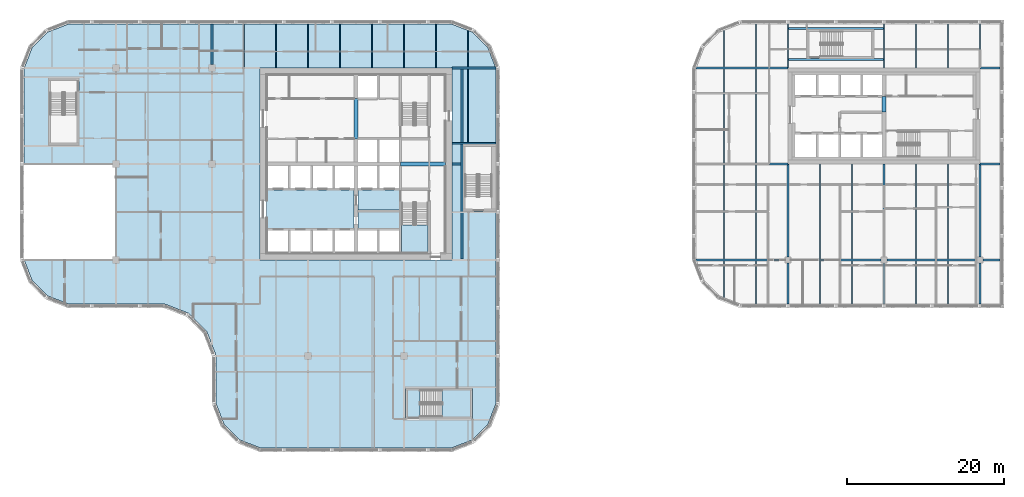
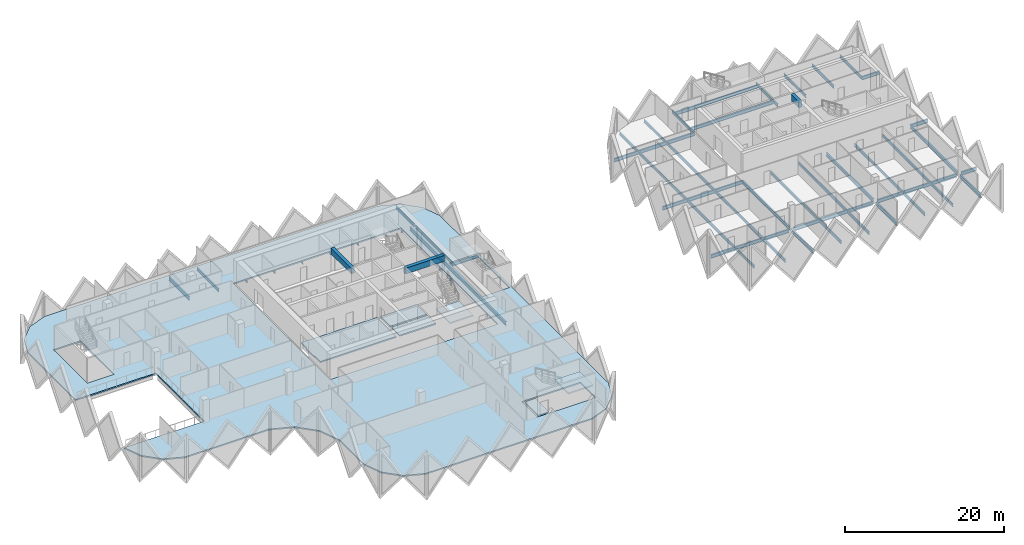
# One storey, part 2 of 18: 54 beams, 7 slabs, 2 elements without a shape of their own.
"""IFC4 building model written with IfcOpenShell, lengths in metres."""

from ifc_helpers import new_model, si_unit, direction, frame, origin, origin_2d, place, context, subcontext, project, spatial, polyline, rectangle, i_section, outline, extrude, material, layer, layer_set, material_profile, profile_set, type_object, element, aggregate, save


model = new_model("IFC4")

# Units and contexts
model_context = context("Model", 3, precision=1e-05, world=origin(), true_north=direction((0.0, 1.0)))
body_context = subcontext(model_context, "Body", "Model", "MODEL_VIEW")
ifc_project = project(units=[si_unit("LENGTHUNIT", "METRE"), si_unit("AREAUNIT", "SQUARE_METRE"), si_unit("VOLUMEUNIT", "CUBIC_METRE"), si_unit("PLANEANGLEUNIT", "RADIAN"), si_unit("MASSUNIT", "GRAM", prefix="KILO")], contexts=[model_context])

# Site, building, storey
site_placement = place(None, origin())
site = spatial("IfcSite", under=ifc_project, at=site_placement, CompositionType="ELEMENT")
building_placement = place(site_placement, origin())
building = spatial("IfcBuilding", under=site, at=building_placement, Name="Tessera Gate Towers", CompositionType="ELEMENT")
storey_placement = place(building_placement, frame((0.0, 0.0, 99.0)))
storey = spatial("IfcBuildingStorey", under=building, at=storey_placement, Name="L24", CompositionType="ELEMENT", Elevation=99.0)

# Beams
ifc_material_1 = material(Name="Concrete C50/60", Category="concrete")
ifc_material_profile_1 = material_profile(ifc_material_1, rectangle(XDim=0.5, YDim=0.89990234375, at=origin_2d()), Name="RC 500x900")
ifc_profile_set_1 = profile_set([ifc_material_profile_1], Name="Concrete C50/60")
beam_type_1 = type_object("IfcBeamType", Name="COUPLING BEAM 500x900 C50/60", PredefinedType="BEAM", material=ifc_profile_set_1)
beam_1_placement = place(storey_placement, frame((109.800048828125, 43.199951171875, 3.14990234375), z_axis=(0.0, 1.0, 0.0), x_axis=(-1.0, 0.0, 0.0)))
element("IfcBeam", 1, at=beam_1_placement, inside=storey, type_object=beam_type_1, Name="L24 coupling beam 1", PredefinedType="BEAM", context=body_context, shape_type="SweptSolid", body=[
    extrude(rectangle(XDim=0.5, YDim=0.89990234375, at=origin_2d()), origin(), (0.0, 0.0, 1.0), 2.0),
])
ifc_material_2 = material(Name="Concrete C60/75", Category="concrete")
ifc_material_profile_2 = material_profile(ifc_material_2, rectangle(XDim=0.5, YDim=0.89990234375, at=origin_2d()), Name="RC 500x900")
ifc_profile_set_2 = profile_set([ifc_material_profile_2], Name="Concrete C60/75")
beam_type_2 = type_object("IfcBeamType", Name="COUPLING BEAM 500x900 C60/75", PredefinedType="BEAM", material=ifc_profile_set_2)
beam_2_placement = place(storey_placement, frame((48.35009765625, 36.60009765625, 3.14990234375), z_axis=(1.0, 0.0, 0.0), x_axis=(0.0, 1.0, 0.0)))
element("IfcBeam", 2, at=beam_2_placement, inside=storey, type_object=beam_type_2, Name="L24 coupling beam 1", PredefinedType="BEAM", context=body_context, shape_type="SweptSolid", body=[
    extrude(rectangle(XDim=0.5, YDim=0.89990234375, at=origin_2d()), origin(), (0.0, 0.0, 1.0), 5.75),
])
beam_3_placement = place(storey_placement, frame((42.699951171875, 39.800048828125, 3.14990234375), z_axis=(0.0, 1.0, 0.0), x_axis=(-1.0, 0.0, 0.0)))
element("IfcBeam", 3, at=beam_3_placement, inside=storey, type_object=beam_type_2, Name="L24 coupling beam 2", PredefinedType="BEAM", context=body_context, shape_type="SweptSolid", body=[
    extrude(rectangle(XDim=0.5, YDim=0.89990234375, at=origin_2d()), origin(), (0.0, 0.0, 1.0), 5.099853515625),
])
ifc_material_3 = material(Name="Steel 350W", Category="steel")
ifc_material_profile_3 = material_profile(ifc_material_3, i_section(OverallWidth=0.208984375, OverallDepth=0.532958984375, WebThickness=0.01025390625, FlangeThickness=0.015625, at=origin_2d()), Name="W530x92")
ifc_profile_set_3 = profile_set([ifc_material_profile_3], Name="Steel 350W")
beam_type_3 = type_object("IfcBeamType", Name="FLOOR GIRDER W530x92", PredefinedType="BEAM", material=ifc_profile_set_3)
beam_4_placement = place(storey_placement, frame((54.89892578125, 36.60009765625, -0.466552734375), z_axis=(1.0, 0.0, 0.0), x_axis=(0.0, 1.0, 0.0)))
element("IfcBeam", 4, at=beam_4_placement, inside=storey, type_object=beam_type_3, Name="T1-GD-L24-3189", PredefinedType="BEAM", context=body_context, shape_type="SweptSolid", body=[
    extrude(i_section(OverallWidth=0.208984375, OverallDepth=0.532958984375, WebThickness=0.01025390625, FlangeThickness=0.015625, at=origin_2d()), origin(), (0.0, 0.0, 1.0), 1.176513671875),
])
beam_5_placement = place(storey_placement, frame((54.90087890625, 48.800048828125, -0.466552734375), z_axis=(1.0, 0.0, 0.0), x_axis=(0.0, 1.0, 0.0)))
element("IfcBeam", 5, at=beam_5_placement, inside=storey, type_object=beam_type_3, Name="T1-GD-L24-3193", PredefinedType="BEAM", context=body_context, shape_type="SweptSolid", body=[
    extrude(i_section(OverallWidth=0.208984375, OverallDepth=0.532958984375, WebThickness=0.01025390625, FlangeThickness=0.015625, at=origin_2d()), origin(), (0.0, 0.0, 1.0), 5.564208984375),
])
beam_6_placement = place(storey_placement, frame((24.39990234375, 49.25, -0.466552734375), z_axis=(0.0, 1.0, 0.0), x_axis=(-1.0, 0.0, 0.0)))
element("IfcBeam", 6, at=beam_6_placement, inside=storey, type_object=beam_type_3, Name="T1-GD-L24-3201", PredefinedType="BEAM", context=body_context, shape_type="SweptSolid", body=[
    extrude(i_section(OverallWidth=0.208984375, OverallDepth=0.532958984375, WebThickness=0.01025390625, FlangeThickness=0.015625, at=origin_2d()), origin(), (0.0, 0.0, 1.0), 5.15087890625),
])
beam_7_placement = place(storey_placement, frame((54.89892578125, 39.219970703125, -0.466552734375), z_axis=(1.0, 0.0, 0.0), x_axis=(0.0, 1.0, 0.0)))
element("IfcBeam", 7, at=beam_7_placement, inside=storey, type_object=beam_type_3, Name="T1-GD-L24-3211", PredefinedType="BEAM", context=body_context, shape_type="SweptSolid", body=[
    extrude(i_section(OverallWidth=0.208984375, OverallDepth=0.532958984375, WebThickness=0.01025390625, FlangeThickness=0.015625, at=origin_2d()), origin(), (0.0, 0.0, 1.0), 5.60205078125),
])
beam_8_placement = place(storey_placement, frame((56.179931640625, 24.50439453125, -0.466552734375), z_axis=(0.0, 1.0, 0.0), x_axis=(-1.0, 0.0, 0.0)))
element("IfcBeam", 8, at=beam_8_placement, inside=storey, type_object=beam_type_3, Name="T1-GD-L24-3212", PredefinedType="BEAM", context=body_context, shape_type="SweptSolid", body=[
    extrude(i_section(OverallWidth=0.208984375, OverallDepth=0.532958984375, WebThickness=0.01025390625, FlangeThickness=0.015625, at=origin_2d()), origin(), (0.0, 0.0, 1.0), 24.191162109375),
])
beam_9_placement = place(storey_placement, frame((85.934814453125, 24.39990234375, -0.466552734375), z_axis=(1.0, 0.0, 0.0), x_axis=(0.0, 1.0, 0.0)))
element("IfcBeam", 9, at=beam_9_placement, inside=storey, type_object=beam_type_3, Name="T2-GD-L24-3253", PredefinedType="BEAM", context=body_context, shape_type="SweptSolid", body=[
    extrude(i_section(OverallWidth=0.208984375, OverallDepth=0.532958984375, WebThickness=0.01025390625, FlangeThickness=0.015625, at=origin_2d()), origin(), (0.0, 0.0, 1.0), 11.315185546875),
])
for number, where, z_axis, x_axis, name in (
    (10, (97.949951171875, 24.39990234375, -0.466552734375), (1.0, 0.0, 0.0), (0.0, 1.0, 0.0), "T2-GD-L24-3254"),
    (11, (110.14990234375, 24.39990234375, -0.466552734375), (1.0, 0.0, 0.0), (0.0, 1.0, 0.0), "T2-GD-L24-3255"),
):
    element("IfcBeam", number, at=place(storey_placement, frame(where, z_axis=z_axis, x_axis=x_axis)), inside=storey, type_object=beam_type_3, Name=name, PredefinedType="BEAM", context=body_context, shape_type="SweptSolid", body=[
        extrude(i_section(OverallWidth=0.208984375, OverallDepth=0.532958984375, WebThickness=0.01025390625, FlangeThickness=0.015625, at=origin_2d()), origin(), (0.0, 0.0, 1.0), 11.5),
    ])
beam_10_placement = place(storey_placement, frame((122.35009765625, 24.39990234375, -0.466552734375), z_axis=(1.0, 0.0, 0.0), x_axis=(0.0, 1.0, 0.0)))
element("IfcBeam", 12, at=beam_10_placement, inside=storey, type_object=beam_type_3, Name="T2-GD-L24-3256", PredefinedType="BEAM", context=body_context, shape_type="SweptSolid", body=[
    extrude(i_section(OverallWidth=0.208984375, OverallDepth=0.532958984375, WebThickness=0.01025390625, FlangeThickness=0.015625, at=origin_2d()), origin(), (0.0, 0.0, 1.0), 2.200927734375),
])
beam_11_placement = place(storey_placement, frame((85.89892578125, 36.60009765625, -0.466552734375), z_axis=(1.0, 0.0, 0.0), x_axis=(0.0, 1.0, 0.0)))
element("IfcBeam", 13, at=beam_11_placement, inside=storey, type_object=beam_type_3, Name="T2-GD-L24-3257", PredefinedType="BEAM", context=body_context, shape_type="SweptSolid", body=[
    extrude(i_section(OverallWidth=0.208984375, OverallDepth=0.532958984375, WebThickness=0.01025390625, FlangeThickness=0.015625, at=origin_2d()), origin(), (0.0, 0.0, 1.0), 11.7001953125),
])
beam_12_placement = place(storey_placement, frame((122.0009765625, 36.60009765625, -0.466552734375), z_axis=(1.0, 0.0, 0.0), x_axis=(0.0, 1.0, 0.0)))
element("IfcBeam", 14, at=beam_12_placement, inside=storey, type_object=beam_type_3, Name="T2-GD-L24-3258", PredefinedType="BEAM", context=body_context, shape_type="SweptSolid", body=[
    extrude(i_section(OverallWidth=0.208984375, OverallDepth=0.532958984375, WebThickness=0.01025390625, FlangeThickness=0.015625, at=origin_2d()), origin(), (0.0, 0.0, 1.0), 2.550048828125),
])
beam_13_placement = place(storey_placement, frame((85.934814453125, 48.800048828125, -0.466552734375), z_axis=(1.0, 0.0, 0.0), x_axis=(0.0, 1.0, 0.0)))
element("IfcBeam", 15, at=beam_13_placement, inside=storey, type_object=beam_type_3, Name="T2-GD-L24-3259", PredefinedType="BEAM", context=body_context, shape_type="SweptSolid", body=[
    extrude(i_section(OverallWidth=0.208984375, OverallDepth=0.532958984375, WebThickness=0.01025390625, FlangeThickness=0.015625, at=origin_2d()), origin(), (0.0, 0.0, 1.0), 11.664306640625),
])
beam_14_placement = place(storey_placement, frame((122.0009765625, 48.800048828125, -0.466552734375), z_axis=(1.0, 0.0, 0.0), x_axis=(0.0, 1.0, 0.0)))
element("IfcBeam", 16, at=beam_14_placement, inside=storey, type_object=beam_type_3, Name="T2-GD-L24-3260", PredefinedType="BEAM", context=body_context, shape_type="SweptSolid", body=[
    extrude(i_section(OverallWidth=0.208984375, OverallDepth=0.532958984375, WebThickness=0.01025390625, FlangeThickness=0.015625, at=origin_2d()), origin(), (0.0, 0.0, 1.0), 2.550048828125),
])
beam_15_placement = place(storey_placement, frame((97.60009765625, 18.799072265625, -0.466552734375), z_axis=(0.0, 1.0, 0.0), x_axis=(-1.0, 0.0, 0.0)))
element("IfcBeam", 17, at=beam_15_placement, inside=storey, type_object=beam_type_3, Name="T2-GD-L24-3261", PredefinedType="BEAM", context=body_context, shape_type="SweptSolid", body=[
    extrude(i_section(OverallWidth=0.208984375, OverallDepth=0.532958984375, WebThickness=0.01025390625, FlangeThickness=0.015625, at=origin_2d()), origin(), (0.0, 0.0, 1.0), 5.2509765625),
])
beam_16_placement = place(storey_placement, frame((97.60009765625, 24.75, -0.466552734375), z_axis=(0.0, 1.0, 0.0), x_axis=(-1.0, 0.0, 0.0)))
element("IfcBeam", 18, at=beam_16_placement, inside=storey, type_object=beam_type_3, Name="T2-GD-L24-3262", PredefinedType="BEAM", context=body_context, shape_type="SweptSolid", body=[
    extrude(i_section(OverallWidth=0.208984375, OverallDepth=0.532958984375, WebThickness=0.01025390625, FlangeThickness=0.015625, at=origin_2d()), origin(), (0.0, 0.0, 1.0), 11.85009765625),
])
beam_17_placement = place(storey_placement, frame((109.800048828125, 18.799072265625, -0.466552734375), z_axis=(0.0, 1.0, 0.0), x_axis=(-1.0, 0.0, 0.0)))
element("IfcBeam", 19, at=beam_17_placement, inside=storey, type_object=beam_type_3, Name="T2-GD-L24-3263", PredefinedType="BEAM", context=body_context, shape_type="SweptSolid", body=[
    extrude(i_section(OverallWidth=0.208984375, OverallDepth=0.532958984375, WebThickness=0.01025390625, FlangeThickness=0.015625, at=origin_2d()), origin(), (0.0, 0.0, 1.0), 5.2509765625),
])
beam_18_placement = place(storey_placement, frame((109.800048828125, 24.75, -0.466552734375), z_axis=(0.0, 1.0, 0.0), x_axis=(-1.0, 0.0, 0.0)))
element("IfcBeam", 20, at=beam_18_placement, inside=storey, type_object=beam_type_3, Name="T2-GD-L24-3264", PredefinedType="BEAM", context=body_context, shape_type="SweptSolid", body=[
    extrude(i_section(OverallWidth=0.208984375, OverallDepth=0.532958984375, WebThickness=0.01025390625, FlangeThickness=0.015625, at=origin_2d()), origin(), (0.0, 0.0, 1.0), 11.85009765625),
])
beam_19_placement = place(storey_placement, frame((122.0, 18.799072265625, -0.466552734375), z_axis=(0.0, 1.0, 0.0), x_axis=(-1.0, 0.0, 0.0)))
element("IfcBeam", 21, at=beam_19_placement, inside=storey, type_object=beam_type_3, Name="T2-GD-L24-3265", PredefinedType="BEAM", context=body_context, shape_type="SweptSolid", body=[
    extrude(i_section(OverallWidth=0.208984375, OverallDepth=0.532958984375, WebThickness=0.01025390625, FlangeThickness=0.015625, at=origin_2d()), origin(), (0.0, 0.0, 1.0), 5.2509765625),
])
beam_20_placement = place(storey_placement, frame((122.0, 24.75, -0.466552734375), z_axis=(0.0, 1.0, 0.0), x_axis=(-1.0, 0.0, 0.0)))
element("IfcBeam", 22, at=beam_20_placement, inside=storey, type_object=beam_type_3, Name="T2-GD-L24-3266", PredefinedType="BEAM", context=body_context, shape_type="SweptSolid", body=[
    extrude(i_section(OverallWidth=0.208984375, OverallDepth=0.532958984375, WebThickness=0.01025390625, FlangeThickness=0.015625, at=origin_2d()), origin(), (0.0, 0.0, 1.0), 11.85009765625),
])
for number, where, z_axis, x_axis, name in (
    (23, (97.676513671875, 49.8798828125, -0.466552734375), (1.0, 0.0, 0.0), (0.0, 1.0, 0.0), "T2-GD-L24-3267"),
    (24, (97.676513671875, 53.820068359375, -0.466552734375), (1.0, 0.0, 0.0), (0.0, 1.0, 0.0), "T2-GD-L24-3268"),
):
    element("IfcBeam", number, at=place(storey_placement, frame(where, z_axis=z_axis, x_axis=x_axis)), inside=storey, type_object=beam_type_3, Name=name, PredefinedType="BEAM", context=body_context, shape_type="SweptSolid", body=[
        extrude(i_section(OverallWidth=0.208984375, OverallDepth=0.532958984375, WebThickness=0.01025390625, FlangeThickness=0.015625, at=origin_2d()), origin(), (0.0, 0.0, 1.0), 12.046875),
    ])
ifc_material_4 = material(Name="Steel 350W", Category="steel")
ifc_material_profile_4 = material_profile(ifc_material_4, i_section(OverallWidth=0.153076171875, OverallDepth=0.455078125, WebThickness=0.008056640625, FlangeThickness=0.01318359375, at=origin_2d()), Name="W460x60")
ifc_profile_set_4 = profile_set([ifc_material_profile_4], Name="Steel 350W")
beam_type_4 = type_object("IfcBeamType", Name="FLOOR SECONDARY W460x60", PredefinedType="BEAM", material=ifc_profile_set_4)
beam_21_placement = place(storey_placement, frame((28.466796875, 48.904541015625, -0.427490234375), z_axis=(0.0, 1.0, 0.0), x_axis=(-1.0, 0.0, 0.0)))
element("IfcBeam", 25, at=beam_21_placement, inside=storey, type_object=beam_type_4, Name="T1-BM-L24-3231", PredefinedType="BEAM", context=body_context, shape_type="SweptSolid", body=[
    extrude(i_section(OverallWidth=0.153076171875, OverallDepth=0.455078125, WebThickness=0.008056640625, FlangeThickness=0.01318359375, at=origin_2d()), origin(), (0.0, 0.0, 1.0), 5.495361328125),
])
for number, where, z_axis, x_axis, name in (
    (26, (32.533203125, 48.800048828125, -0.427490234375), (0.0, 1.0, 0.0), (-1.0, 0.0, 0.0), "T1-BM-L24-3234"),
    (27, (36.60009765625, 48.800048828125, -0.427490234375), (0.0, 1.0, 0.0), (-1.0, 0.0, 0.0), "T1-BM-L24-3235"),
    (28, (40.666748046875, 48.800048828125, -0.427490234375), (0.0, 1.0, 0.0), (-1.0, 0.0, 0.0), "T1-BM-L24-3238"),
    (29, (44.7333984375, 48.800048828125, -0.427490234375), (0.0, 1.0, 0.0), (-1.0, 0.0, 0.0), "T1-BM-L24-3241"),
    (30, (48.800048828125, 48.800048828125, -0.427490234375), (0.0, 1.0, 0.0), (-1.0, 0.0, 0.0), "T1-BM-L24-3242"),
    (31, (52.86669921875, 48.800048828125, -0.427490234375), (0.0, 1.0, 0.0), (-1.0, 0.0, 0.0), "T1-BM-L24-3246"),
):
    element("IfcBeam", number, at=place(storey_placement, frame(where, z_axis=z_axis, x_axis=x_axis)), inside=storey, type_object=beam_type_4, Name=name, PredefinedType="BEAM", context=body_context, shape_type="SweptSolid", body=[
        extrude(i_section(OverallWidth=0.153076171875, OverallDepth=0.455078125, WebThickness=0.008056640625, FlangeThickness=0.01318359375, at=origin_2d()), origin(), (0.0, 0.0, 1.0), 5.599853515625),
    ])
beam_22_placement = place(storey_placement, frame((56.933349609375, 39.324462890625, -0.427490234375), z_axis=(0.0, 1.0, 0.0), x_axis=(-1.0, 0.0, 0.0)))
element("IfcBeam", 32, at=beam_22_placement, inside=storey, type_object=beam_type_4, Name="T1-BM-L24-3251", PredefinedType="BEAM", context=body_context, shape_type="SweptSolid", body=[
    extrude(i_section(OverallWidth=0.153076171875, OverallDepth=0.455078125, WebThickness=0.008056640625, FlangeThickness=0.01318359375, at=origin_2d()), origin(), (0.0, 0.0, 1.0), 9.37109375),
])
for number, where, z_axis, x_axis, name in (
    (33, (56.933349609375, 48.904541015625, -0.427490234375), (0.0, 1.0, 0.0), (-1.0, 0.0, 0.0), "T1-BM-L24-3252"),
    (34, (89.466796875, 19.620361328125, -0.427490234375), (0.0, 1.0, 0.0), (-1.0, 0.0, 0.0), "T2-BM-L24-3269"),
):
    element("IfcBeam", number, at=place(storey_placement, frame(where, z_axis=z_axis, x_axis=x_axis)), inside=storey, type_object=beam_type_4, Name=name, PredefinedType="BEAM", context=body_context, shape_type="SweptSolid", body=[
        extrude(i_section(OverallWidth=0.153076171875, OverallDepth=0.455078125, WebThickness=0.008056640625, FlangeThickness=0.01318359375, at=origin_2d()), origin(), (0.0, 0.0, 1.0), 4.675048828125),
    ])
beam_23_placement = place(storey_placement, frame((89.466796875, 24.50439453125, -0.427490234375), z_axis=(0.0, 1.0, 0.0), x_axis=(-1.0, 0.0, 0.0)))
element("IfcBeam", 35, at=beam_23_placement, inside=storey, type_object=beam_type_4, Name="T2-BM-L24-3270", PredefinedType="BEAM", context=body_context, shape_type="SweptSolid", body=[
    extrude(i_section(OverallWidth=0.153076171875, OverallDepth=0.455078125, WebThickness=0.008056640625, FlangeThickness=0.01318359375, at=origin_2d()), origin(), (0.0, 0.0, 1.0), 11.9912109375),
])
beam_24_placement = place(storey_placement, frame((89.466796875, 36.70458984375, -0.427490234375), z_axis=(0.0, 1.0, 0.0), x_axis=(-1.0, 0.0, 0.0)))
element("IfcBeam", 36, at=beam_24_placement, inside=storey, type_object=beam_type_4, Name="T2-BM-L24-3271", PredefinedType="BEAM", context=body_context, shape_type="SweptSolid", body=[
    extrude(i_section(OverallWidth=0.153076171875, OverallDepth=0.455078125, WebThickness=0.008056640625, FlangeThickness=0.01318359375, at=origin_2d()), origin(), (0.0, 0.0, 1.0), 11.990966796875),
])
beam_25_placement = place(storey_placement, frame((89.466796875, 48.904541015625, -0.427490234375), z_axis=(0.0, 1.0, 0.0), x_axis=(-1.0, 0.0, 0.0)))
element("IfcBeam", 37, at=beam_25_placement, inside=storey, type_object=beam_type_4, Name="T2-BM-L24-3272", PredefinedType="BEAM", context=body_context, shape_type="SweptSolid", body=[
    extrude(i_section(OverallWidth=0.153076171875, OverallDepth=0.455078125, WebThickness=0.008056640625, FlangeThickness=0.01318359375, at=origin_2d()), origin(), (0.0, 0.0, 1.0), 4.675048828125),
])
beam_26_placement = place(storey_placement, frame((93.533203125, 18.800048828125, -0.427490234375), z_axis=(0.0, 1.0, 0.0), x_axis=(-1.0, 0.0, 0.0)))
element("IfcBeam", 38, at=beam_26_placement, inside=storey, type_object=beam_type_4, Name="T2-BM-L24-3273", PredefinedType="BEAM", context=body_context, shape_type="SweptSolid", body=[
    extrude(i_section(OverallWidth=0.153076171875, OverallDepth=0.455078125, WebThickness=0.008056640625, FlangeThickness=0.01318359375, at=origin_2d()), origin(), (0.0, 0.0, 1.0), 5.495361328125),
])
beam_27_placement = place(storey_placement, frame((93.533203125, 24.50439453125, -0.427490234375), z_axis=(0.0, 1.0, 0.0), x_axis=(-1.0, 0.0, 0.0)))
element("IfcBeam", 39, at=beam_27_placement, inside=storey, type_object=beam_type_4, Name="T2-BM-L24-3274", PredefinedType="BEAM", context=body_context, shape_type="SweptSolid", body=[
    extrude(i_section(OverallWidth=0.153076171875, OverallDepth=0.455078125, WebThickness=0.008056640625, FlangeThickness=0.01318359375, at=origin_2d()), origin(), (0.0, 0.0, 1.0), 11.9912109375),
])
beam_28_placement = place(storey_placement, frame((93.533203125, 36.70458984375, -0.427490234375), z_axis=(0.0, 1.0, 0.0), x_axis=(-1.0, 0.0, 0.0)))
element("IfcBeam", 40, at=beam_28_placement, inside=storey, type_object=beam_type_4, Name="T2-BM-L24-3275", PredefinedType="BEAM", context=body_context, shape_type="SweptSolid", body=[
    extrude(i_section(OverallWidth=0.153076171875, OverallDepth=0.455078125, WebThickness=0.008056640625, FlangeThickness=0.01318359375, at=origin_2d()), origin(), (0.0, 0.0, 1.0), 11.990966796875),
])
beam_29_placement = place(storey_placement, frame((93.533203125, 48.904541015625, -0.427490234375), z_axis=(0.0, 1.0, 0.0), x_axis=(-1.0, 0.0, 0.0)))
element("IfcBeam", 41, at=beam_29_placement, inside=storey, type_object=beam_type_4, Name="T2-BM-L24-3276", PredefinedType="BEAM", context=body_context, shape_type="SweptSolid", body=[
    extrude(i_section(OverallWidth=0.153076171875, OverallDepth=0.455078125, WebThickness=0.008056640625, FlangeThickness=0.01318359375, at=origin_2d()), origin(), (0.0, 0.0, 1.0), 5.495361328125),
])
beam_30_placement = place(storey_placement, frame((97.60009765625, 48.800048828125, -0.427490234375), z_axis=(0.0, 1.0, 0.0), x_axis=(-1.0, 0.0, 0.0)))
element("IfcBeam", 42, at=beam_30_placement, inside=storey, type_object=beam_type_4, Name="T2-BM-L24-3277", PredefinedType="BEAM", context=body_context, shape_type="SweptSolid", body=[
    extrude(i_section(OverallWidth=0.153076171875, OverallDepth=0.455078125, WebThickness=0.008056640625, FlangeThickness=0.01318359375, at=origin_2d()), origin(), (0.0, 0.0, 1.0), 5.599853515625),
])
beam_31_placement = place(storey_placement, frame((101.666748046875, 18.800048828125, -0.427490234375), z_axis=(0.0, 1.0, 0.0), x_axis=(-1.0, 0.0, 0.0)))
element("IfcBeam", 43, at=beam_31_placement, inside=storey, type_object=beam_type_4, Name="T2-BM-L24-3278", PredefinedType="BEAM", context=body_context, shape_type="SweptSolid", body=[
    extrude(i_section(OverallWidth=0.153076171875, OverallDepth=0.455078125, WebThickness=0.008056640625, FlangeThickness=0.01318359375, at=origin_2d()), origin(), (0.0, 0.0, 1.0), 5.495361328125),
])
beam_32_placement = place(storey_placement, frame((101.666748046875, 24.50439453125, -0.427490234375), z_axis=(0.0, 1.0, 0.0), x_axis=(-1.0, 0.0, 0.0)))
element("IfcBeam", 44, at=beam_32_placement, inside=storey, type_object=beam_type_4, Name="T2-BM-L24-3279", PredefinedType="BEAM", context=body_context, shape_type="SweptSolid", body=[
    extrude(i_section(OverallWidth=0.153076171875, OverallDepth=0.455078125, WebThickness=0.008056640625, FlangeThickness=0.01318359375, at=origin_2d()), origin(), (0.0, 0.0, 1.0), 12.095703125),
])
beam_33_placement = place(storey_placement, frame((105.7333984375, 18.800048828125, -0.427490234375), z_axis=(0.0, 1.0, 0.0), x_axis=(-1.0, 0.0, 0.0)))
element("IfcBeam", 45, at=beam_33_placement, inside=storey, type_object=beam_type_4, Name="T2-BM-L24-3280", PredefinedType="BEAM", context=body_context, shape_type="SweptSolid", body=[
    extrude(i_section(OverallWidth=0.153076171875, OverallDepth=0.455078125, WebThickness=0.008056640625, FlangeThickness=0.01318359375, at=origin_2d()), origin(), (0.0, 0.0, 1.0), 5.495361328125),
])
beam_34_placement = place(storey_placement, frame((105.7333984375, 24.50439453125, -0.427490234375), z_axis=(0.0, 1.0, 0.0), x_axis=(-1.0, 0.0, 0.0)))
element("IfcBeam", 46, at=beam_34_placement, inside=storey, type_object=beam_type_4, Name="T2-BM-L24-3281", PredefinedType="BEAM", context=body_context, shape_type="SweptSolid", body=[
    extrude(i_section(OverallWidth=0.153076171875, OverallDepth=0.455078125, WebThickness=0.008056640625, FlangeThickness=0.01318359375, at=origin_2d()), origin(), (0.0, 0.0, 1.0), 12.095703125),
])
beam_35_placement = place(storey_placement, frame((109.800048828125, 48.800048828125, -0.427490234375), z_axis=(0.0, 1.0, 0.0), x_axis=(-1.0, 0.0, 0.0)))
element("IfcBeam", 47, at=beam_35_placement, inside=storey, type_object=beam_type_4, Name="T2-BM-L24-3282", PredefinedType="BEAM", context=body_context, shape_type="SweptSolid", body=[
    extrude(i_section(OverallWidth=0.153076171875, OverallDepth=0.455078125, WebThickness=0.008056640625, FlangeThickness=0.01318359375, at=origin_2d()), origin(), (0.0, 0.0, 1.0), 5.599853515625),
])
beam_36_placement = place(storey_placement, frame((113.86669921875, 18.800048828125, -0.427490234375), z_axis=(0.0, 1.0, 0.0), x_axis=(-1.0, 0.0, 0.0)))
element("IfcBeam", 48, at=beam_36_placement, inside=storey, type_object=beam_type_4, Name="T2-BM-L24-3283", PredefinedType="BEAM", context=body_context, shape_type="SweptSolid", body=[
    extrude(i_section(OverallWidth=0.153076171875, OverallDepth=0.455078125, WebThickness=0.008056640625, FlangeThickness=0.01318359375, at=origin_2d()), origin(), (0.0, 0.0, 1.0), 5.495361328125),
])
beam_37_placement = place(storey_placement, frame((113.86669921875, 24.50439453125, -0.427490234375), z_axis=(0.0, 1.0, 0.0), x_axis=(-1.0, 0.0, 0.0)))
element("IfcBeam", 49, at=beam_37_placement, inside=storey, type_object=beam_type_4, Name="T2-BM-L24-3284", PredefinedType="BEAM", context=body_context, shape_type="SweptSolid", body=[
    extrude(i_section(OverallWidth=0.153076171875, OverallDepth=0.455078125, WebThickness=0.008056640625, FlangeThickness=0.01318359375, at=origin_2d()), origin(), (0.0, 0.0, 1.0), 12.095703125),
])
beam_38_placement = place(storey_placement, frame((113.86669921875, 48.800048828125, -0.427490234375), z_axis=(0.0, 1.0, 0.0), x_axis=(-1.0, 0.0, 0.0)))
element("IfcBeam", 50, at=beam_38_placement, inside=storey, type_object=beam_type_4, Name="T2-BM-L24-3285", PredefinedType="BEAM", context=body_context, shape_type="SweptSolid", body=[
    extrude(i_section(OverallWidth=0.153076171875, OverallDepth=0.455078125, WebThickness=0.008056640625, FlangeThickness=0.01318359375, at=origin_2d()), origin(), (0.0, 0.0, 1.0), 5.599853515625),
])
beam_39_placement = place(storey_placement, frame((117.933349609375, 18.800048828125, -0.427490234375), z_axis=(0.0, 1.0, 0.0), x_axis=(-1.0, 0.0, 0.0)))
element("IfcBeam", 51, at=beam_39_placement, inside=storey, type_object=beam_type_4, Name="T2-BM-L24-3286", PredefinedType="BEAM", context=body_context, shape_type="SweptSolid", body=[
    extrude(i_section(OverallWidth=0.153076171875, OverallDepth=0.455078125, WebThickness=0.008056640625, FlangeThickness=0.01318359375, at=origin_2d()), origin(), (0.0, 0.0, 1.0), 5.495361328125),
])
beam_40_placement = place(storey_placement, frame((117.933349609375, 24.50439453125, -0.427490234375), z_axis=(0.0, 1.0, 0.0), x_axis=(-1.0, 0.0, 0.0)))
element("IfcBeam", 52, at=beam_40_placement, inside=storey, type_object=beam_type_4, Name="T2-BM-L24-3287", PredefinedType="BEAM", context=body_context, shape_type="SweptSolid", body=[
    extrude(i_section(OverallWidth=0.153076171875, OverallDepth=0.455078125, WebThickness=0.008056640625, FlangeThickness=0.01318359375, at=origin_2d()), origin(), (0.0, 0.0, 1.0), 12.095703125),
])
for number, where, z_axis, x_axis, name in (
    (53, (117.933349609375, 48.800048828125, -0.427490234375), (0.0, 1.0, 0.0), (-1.0, 0.0, 0.0), "T2-BM-L24-3288"),
    (54, (122.0, 48.800048828125, -0.427490234375), (0.0, 1.0, 0.0), (-1.0, 0.0, 0.0), "T2-BM-L24-3289"),
):
    element("IfcBeam", number, at=place(storey_placement, frame(where, z_axis=z_axis, x_axis=x_axis)), inside=storey, type_object=beam_type_4, Name=name, PredefinedType="BEAM", context=body_context, shape_type="SweptSolid", body=[
        extrude(i_section(OverallWidth=0.153076171875, OverallDepth=0.455078125, WebThickness=0.008056640625, FlangeThickness=0.01318359375, at=origin_2d()), origin(), (0.0, 0.0, 1.0), 5.599853515625),
    ])

# Slabs
ifc_material_5 = material(Name="Concrete C35/45", Category="concrete")
ifc_layer_1 = layer(ifc_material_5, 0.199951171875)
ifc_layer_set_1 = layer_set([ifc_layer_1], Name="COMPOSITE FLOOR 200")
slab_type_1 = type_object("IfcSlabType", Name="COMPOSITE FLOOR 200", PredefinedType="FLOOR", material=ifc_layer_set_1)
slab_1_placement = place(storey_placement, frame((0.0, 0.0, -0.199951171875)))
element("IfcSlab", 55, at=slab_1_placement, inside=storey, type_object=slab_type_1, Name="T1-L24", PredefinedType="FLOOR", context=body_context, shape_type="SweptSolid", body=[
    extrude(outline(polyline([(0.5, 36.60009765625), (12.199951171875, 36.60009765625), (12.199951171875, 24.39990234375), (0.535888671875, 24.39990234375), (1.526123046875, 21.8330078125), (3.533203125, 19.826171875), (6.193115234375, 18.800048828125), (18.39306640625, 18.800048828125), (21.42431640625, 17.630615234375), (23.730712890625, 15.32421875), (24.89990234375, 12.293212890625), (24.89990234375, 6.193115234375), (25.926025390625, 3.533203125), (27.93310546875, 1.526123046875), (30.593017578125, 0.5), (54.806884765625, 0.5), (57.466796875, 1.526123046875), (59.473876953125, 3.533203125), (60.5, 6.193115234375), (60.5, 48.706787109375), (59.473876953125, 51.366943359375), (57.466796875, 53.373779296875), (54.806884765625, 54.39990234375), (6.193115234375, 54.39990234375), (3.533203125, 53.373779296875), (1.526123046875, 51.366943359375), (0.5, 48.706787109375), (0.5, 36.60009765625)]), holes=[polyline([(3.60009765625, 39.0), (3.60009765625, 47.5), (7.5, 47.5), (7.5, 39.0), (3.60009765625, 39.0)]), polyline([(30.5, 24.39990234375), (30.5, 48.800048828125), (54.89990234375, 48.800048828125), (54.89990234375, 24.39990234375), (30.5, 24.39990234375)]), polyline([(49.0, 4.199951171875), (49.0, 8.10009765625), (57.5, 8.10009765625), (57.5, 4.199951171875), (49.0, 4.199951171875)]), polyline([(56.300048828125, 30.60009765625), (56.300048828125, 39.10009765625), (60.199951171875, 39.10009765625), (60.199951171875, 30.60009765625), (56.300048828125, 30.60009765625)])]), origin(), (0.0, 0.0, 1.0), 0.199951171875),
])
ifc_material_6 = material(Name="Concrete C35/45", Category="concrete")
ifc_layer_2 = layer(ifc_material_6, 0.199951171875)
ifc_layer_set_2 = layer_set([ifc_layer_2], Name="CORE FLOOR SLAB 200")
slab_type_2 = type_object("IfcSlabType", Name="CORE FLOOR SLAB 200", PredefinedType="FLOOR", material=ifc_layer_set_2)
slab_2_placement = place(storey_placement, frame((0.0, 0.0, -0.199951171875)))
element("IfcSlab", 56, at=slab_2_placement, inside=storey, type_object=slab_type_2, Name="L24 core floor slab", PredefinedType="FLOOR", context=body_context, shape_type="SweptSolid", body=[
    extrude(outline(polyline([(31.39990234375, 29.800048828125), (31.39990234375, 28.425048828125), (42.449951171875, 28.425048828125), (42.449951171875, 33.27490234375), (31.39990234375, 33.27490234375), (31.39990234375, 31.89990234375), (31.300048828125, 31.89990234375), (31.300048828125, 29.800048828125), (31.39990234375, 29.800048828125)])), origin(), (0.0, 0.0, 1.0), 0.199951171875),
])
slab_3_placement = place(storey_placement, frame((0.0, 0.0, -0.199951171875)))
element("IfcSlab", 57, at=slab_3_placement, inside=storey, type_object=slab_type_2, Name="L24 core floor slab", PredefinedType="FLOOR", context=body_context, shape_type="SweptSolid", body=[
    extrude(outline(polyline([(42.949951171875, 33.27490234375), (42.949951171875, 30.72509765625), (48.22509765625, 30.72509765625), (48.22509765625, 33.27490234375), (42.949951171875, 33.27490234375)])), origin(), (0.0, 0.0, 1.0), 0.199951171875),
])
slab_4_placement = place(storey_placement, frame((0.0, 0.0, -0.199951171875)))
element("IfcSlab", 58, at=slab_4_placement, inside=storey, type_object=slab_type_2, Name="L24 core floor slab", PredefinedType="FLOOR", context=body_context, shape_type="SweptSolid", body=[
    extrude(outline(polyline([(42.949951171875, 30.47509765625), (42.949951171875, 28.425048828125), (48.22509765625, 28.425048828125), (48.22509765625, 30.47509765625), (42.949951171875, 30.47509765625)])), origin(), (0.0, 0.0, 1.0), 0.199951171875),
])
slab_5_placement = place(storey_placement, frame((0.0, 0.0, -0.199951171875)))
element("IfcSlab", 59, at=slab_5_placement, inside=storey, type_object=slab_type_2, Name="L24 ST4 floor landing", PredefinedType="FLOOR", context=body_context, shape_type="SweptSolid", body=[
    extrude(outline(polyline([(49.25, 4.449951171875), (50.85009765625, 4.449951171875), (50.85009765625, 7.85009765625), (49.25, 7.85009765625), (49.25, 4.449951171875)])), origin(), (0.0, 0.0, 1.0), 0.199951171875),
])

# Stair, slab
ifc_material_7 = material(Name="Concrete C40/50", Category="concrete")
stair_type_1 = type_object("IfcStairType", Name="EXIT STAIR ST1 1600", PredefinedType="HALF_TURN_STAIR", material=ifc_material_7)
stair_1_placement = place(storey_placement, origin())
stair_1 = element("IfcStair", 60, at=stair_1_placement, inside=storey, type_object=stair_type_1, Name="L24 Protected Exit Stair ST1", PredefinedType="HALF_TURN_STAIR")
ifc_material_8 = material(Name="Concrete C40/50", Category="concrete")
ifc_layer_3 = layer(ifc_material_8, 0.199951171875)
ifc_layer_set_3 = layer_set([ifc_layer_3], Name="EXIT STAIR LANDING 200")
slab_type_3 = type_object("IfcSlabType", Name="EXIT STAIR LANDING 200", PredefinedType="LANDING", material=ifc_layer_set_3)
slab_6_placement = place(storey_placement, frame((0.0, 0.0, 1.699951171875)))
slab_6 = element("IfcSlab", 61, at=slab_6_placement, type_object=slab_type_3, Name="ST1 landing 1", PredefinedType="LANDING", context=body_context, shape_type="SweptSolid", body=[
    extrude(outline(polyline([(48.47509765625, 28.875), (48.47509765625, 25.300048828125), (51.875, 25.300048828125), (51.875, 28.875), (48.47509765625, 28.875)])), origin(), (0.0, 0.0, 1.0), 0.199951171875),
])
aggregate(stair_1, [slab_6])

ifc_material_9 = material(Name="Concrete C40/50", Category="concrete")
stair_type_2 = type_object("IfcStairType", Name="EXIT STAIR ST4 1600", PredefinedType="HALF_TURN_STAIR", material=ifc_material_9)
stair_2_placement = place(storey_placement, origin())
stair_2 = element("IfcStair", 62, at=stair_2_placement, inside=storey, type_object=stair_type_2, Name="L24 South Exit Stair ST4", PredefinedType="HALF_TURN_STAIR")
slab_7_placement = place(storey_placement, frame((0.0, 0.0, 1.699951171875)))
slab_7 = element("IfcSlab", 63, at=slab_7_placement, type_object=slab_type_3, Name="ST4 landing 1", PredefinedType="LANDING", context=body_context, shape_type="SweptSolid", body=[
    extrude(outline(polyline([(53.64990234375, 4.449951171875), (57.25, 4.449951171875), (57.25, 7.85009765625), (53.64990234375, 7.85009765625), (53.64990234375, 4.449951171875)])), origin(), (0.0, 0.0, 1.0), 0.199951171875),
])
aggregate(stair_2, [slab_7])

save(model, "model.ifc")
